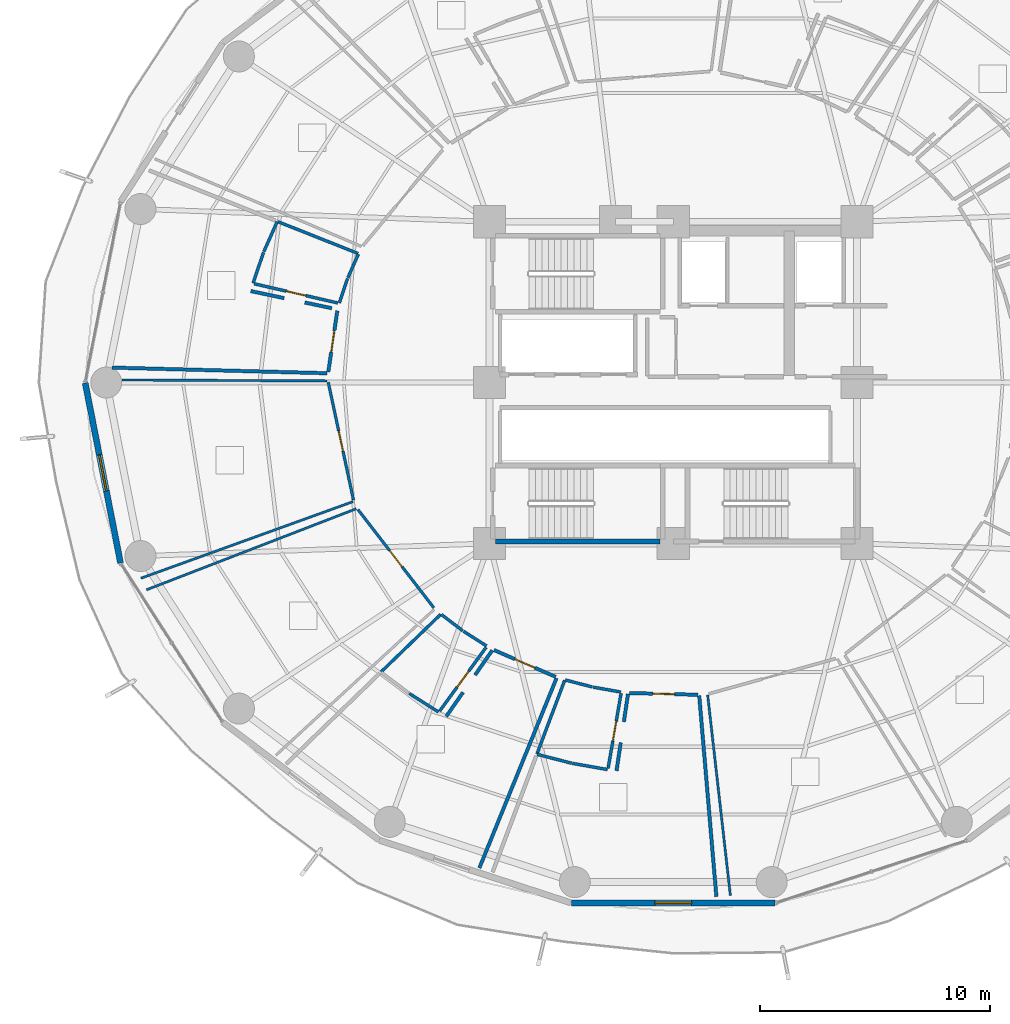
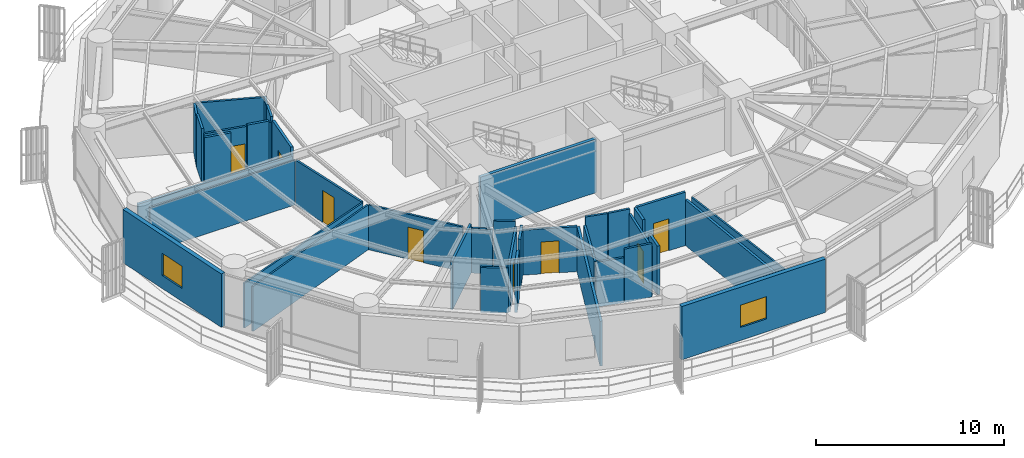
# One storey, part 25 of 33: 38 walls, 8 doors, 2 windows, 10 openings.
"""IFC4 building model written with IfcOpenShell, lengths in metres."""

from ifc_helpers import new_model, si_unit, direction, frame, frame_2d, origin, place, context, subcontext, project, spatial, rectangle, extrude, material, layer, layer_set, type_object, element, fill, save


model = new_model("IFC4")

# Units and contexts
model_context = context("Model", 3, precision=1e-05, world=origin(), true_north=direction((0.0, 1.0)))
body_context = subcontext(model_context, "Body", "Model", "MODEL_VIEW")
ifc_project = project(units=[si_unit("LENGTHUNIT", "METRE"), si_unit("AREAUNIT", "SQUARE_METRE"), si_unit("VOLUMEUNIT", "CUBIC_METRE"), si_unit("PLANEANGLEUNIT", "RADIAN"), si_unit("MASSUNIT", "GRAM", prefix="KILO")], contexts=[model_context])

# Site, building, storey
site_placement = place(None, origin())
site = spatial("IfcSite", under=ifc_project, at=site_placement, CompositionType="ELEMENT")
building_placement = place(site_placement, origin())
building = spatial("IfcBuilding", under=site, at=building_placement, Name="Kelanora Arch Commons", CompositionType="ELEMENT")
storey_placement = place(building_placement, frame((0.0, 0.0, 80.10009765625)))
storey = spatial("IfcBuildingStorey", under=building, at=storey_placement, Name="L20", CompositionType="ELEMENT", Elevation=80.10009765625)

# Wall, opening, door
ifc_material_1 = material(Name="Autoclaved aerated concrete blockwork with fire plaster", Category="masonry")
ifc_layer_1 = layer(ifc_material_1, 0.14990234375)
ifc_layer_set_1 = layer_set([ifc_layer_1], Name="Autoclaved aerated concrete blockwork with fire plaster")
wall_type_1 = type_object("IfcWallType", Name="W-COMP-150", PredefinedType="PARTITIONING", material=ifc_layer_set_1)
wall_1_placement = place(storey_placement, frame((59.377197265625, 61.12353515625, 0.0), z_axis=(0.0, 0.0, 1.0), x_axis=(-0.145640373191, -0.989337597434, 0.0)))
wall_1 = element("IfcWall", 1, at=wall_1_placement, inside=storey, type_object=wall_type_1, Name="Co-Living Studio L20-07 Entry Partition", PredefinedType="PARTITIONING", context=body_context, shape_type="SweptSolid", body=[
    extrude(rectangle(XDim=2.688720703125, YDim=0.14990234375, at=frame_2d((1.34423828125, 0.0))), origin(), (0.0, 0.0, 1.0), 3.47998046875),
])
opening_1_placement = place(wall_1_placement, frame((0.868896484375, 0.0, 0.0)))
opening_1 = element("IfcOpeningElement", 2, at=opening_1_placement, cuts=wall_1, Name="Opening D-CLU1", PredefinedType="OPENING", context=body_context, shape_type="SweptSolid", body=[
    extrude(rectangle(XDim=0.949951171875, YDim=2.080078125, at=frame_2d((0.47509765625, 1.0400390625))), frame((0.0, 0.0849609375, 0.0), z_axis=(0.0, -1.0, 0.0), x_axis=(1.0, 0.0, 0.0)), (0.0, 0.0, 1.0), 0.169921875),
])
ifc_material_2 = material(Name="Solid-core acoustic timber cluster entry fire door", Category="wood")
door_type_1 = type_object("IfcDoorType", Name="D-CLU-95", OperationType="NOTDEFINED", PredefinedType="DOOR", material=ifc_material_2)
door_1_placement = place(opening_1_placement, origin())
door_1 = element("IfcDoor", 3, at=door_1_placement, inside=storey, type_object=door_type_1, Name="Co-Living Studio L20-07 Door", OperationType="SINGLE_SWING_RIGHT", OverallHeight=2.080078125, OverallWidth=0.949951171875, PredefinedType="DOOR", context=body_context, shape_type="SweptSolid", body=[
    extrude(rectangle(XDim=0.949951171875, YDim=2.080078125, at=frame_2d((0.47509765625, 1.0400390625))), frame((0.0, 0.02490234375, 0.0), z_axis=(0.0, -1.0, 0.0), x_axis=(1.0, 0.0, 0.0)), (0.0, 0.0, 1.0), 0.050048828125),
])
fill(opening_1, door_1)

wall_2_placement = place(storey_placement, frame((66.200927734375, 46.35498046875, 0.0), z_axis=(0.0, 0.0, 1.0), x_axis=(0.917173751057, -0.398487528503, 0.0)))
wall_2 = element("IfcWall", 4, at=wall_2_placement, inside=storey, type_object=wall_type_1, Name="Co-Living Studio L20-10 Entry Partition", PredefinedType="PARTITIONING", context=body_context, shape_type="SweptSolid", body=[
    extrude(rectangle(XDim=2.918701171875, YDim=0.14990234375, at=frame_2d((1.45947265625, 0.0))), origin(), (0.0, 0.0, 1.0), 2.9248046875),
])
opening_2_placement = place(wall_2_placement, frame((0.98388671875, 0.0, 0.0)))
opening_2 = element("IfcOpeningElement", 5, at=opening_2_placement, cuts=wall_2, Name="Opening D-CLU1", PredefinedType="OPENING", context=body_context, shape_type="SweptSolid", body=[
    extrude(rectangle(XDim=0.949951171875, YDim=2.080078125, at=frame_2d((0.47509765625, 1.0400390625))), frame((0.0, 0.0849609375, 0.0), z_axis=(0.0, -1.0, 0.0), x_axis=(1.0, 0.0, 0.0)), (0.0, 0.0, 1.0), 0.169921875),
])
door_2_placement = place(opening_2_placement, origin())
door_2 = element("IfcDoor", 6, at=door_2_placement, inside=storey, type_object=door_type_1, Name="Co-Living Studio L20-10 Door", OperationType="SINGLE_SWING_RIGHT", OverallHeight=2.080078125, OverallWidth=0.949951171875, PredefinedType="DOOR", context=body_context, shape_type="SweptSolid", body=[
    extrude(rectangle(XDim=0.949951171875, YDim=2.080078125, at=frame_2d((0.47509765625, 1.0400390625))), frame((0.0, 0.02490234375, 0.0), z_axis=(0.0, -1.0, 0.0), x_axis=(1.0, 0.0, 0.0)), (0.0, 0.0, 1.0), 0.050048828125),
])
fill(opening_2, door_2)

wall_3_placement = place(storey_placement, frame((72.096923828125, 44.485595703125, 0.0), z_axis=(0.0, 0.0, 1.0), x_axis=(0.999671268913, -0.025638917871, 0.0)))
wall_3 = element("IfcWall", 7, at=wall_3_placement, inside=storey, type_object=wall_type_1, Name="Co-Living Studio L20-11 Entry Partition", PredefinedType="PARTITIONING", context=body_context, shape_type="SweptSolid", body=[
    extrude(rectangle(XDim=2.970947265625, YDim=0.14990234375, at=frame_2d((1.4853515625, 0.0))), origin(), (0.0, 0.0, 1.0), 3.47998046875),
])
opening_3_placement = place(wall_3_placement, frame((1.010009765625, 0.0, 0.0)))
opening_3 = element("IfcOpeningElement", 8, at=opening_3_placement, cuts=wall_3, Name="Opening D-CLU1", PredefinedType="OPENING", context=body_context, shape_type="SweptSolid", body=[
    extrude(rectangle(XDim=0.949951171875, YDim=2.080078125, at=frame_2d((0.47509765625, 1.0400390625))), frame((0.0, 0.0849609375, 0.0), z_axis=(0.0, -1.0, 0.0), x_axis=(1.0, 0.0, 0.0)), (0.0, 0.0, 1.0), 0.169921875),
])
door_3_placement = place(opening_3_placement, origin())
door_3 = element("IfcDoor", 9, at=door_3_placement, inside=storey, type_object=door_type_1, Name="Co-Living Studio L20-11 Door", OperationType="SINGLE_SWING_RIGHT", OverallHeight=2.080078125, OverallWidth=0.949951171875, PredefinedType="DOOR", context=body_context, shape_type="SweptSolid", body=[
    extrude(rectangle(XDim=0.949951171875, YDim=2.080078125, at=frame_2d((0.47509765625, 1.0400390625))), frame((0.0, 0.02490234375, 0.0), z_axis=(0.0, -1.0, 0.0), x_axis=(1.0, 0.0, 0.0)), (0.0, 0.0, 1.0), 0.050048828125),
])
fill(opening_3, door_3)

# Walls
wall_4_placement = place(storey_placement, frame((58.93701171875, 58.405029296875, 0.0), z_axis=(0.0, 0.0, 1.0), x_axis=(-0.99965775334, 0.026160584617, 0.0)))
element("IfcWall", 10, at=wall_4_placement, inside=storey, type_object=wall_type_1, Name="Co-Living Studio L20-07 Enclosure Partition 2", PredefinedType="PARTITIONING", context=body_context, shape_type="SweptSolid", body=[
    extrude(rectangle(XDim=9.3603515625, YDim=0.14990234375, at=frame_2d((4.68017578125, 0.0))), origin(), (0.0, 0.0, 1.0), 2.974853515625),
])
wall_5_placement = place(storey_placement, frame((55.613037109375, 61.980712890625, 0.0), z_axis=(0.0, 0.0, 1.0), x_axis=(0.978379851426, -0.206816020472, 0.0)))
element("IfcWall", 11, at=wall_5_placement, inside=storey, type_object=wall_type_1, Name="Co-Living Studio L20-07 Enclosure Partition 7", PredefinedType="PARTITIONING", context=body_context, shape_type="SweptSolid", body=[
    extrude(rectangle(XDim=1.4814453125, YDim=0.14990234375, at=frame_2d((0.74072265625, 0.0))), origin(), (0.0, 0.0, 1.0), 3.1748046875),
])
wall_6_placement = place(storey_placement, frame((57.962890625, 61.48388671875, 0.0), z_axis=(0.0, 0.0, 1.0), x_axis=(0.978361584069, -0.20690241859, 0.0)))
element("IfcWall", 12, at=wall_6_placement, inside=storey, type_object=wall_type_1, Name="Co-Living Studio L20-07 Enclosure Partition 7", PredefinedType="PARTITIONING", context=body_context, shape_type="SweptSolid", body=[
    extrude(rectangle(XDim=1.199951171875, YDim=0.14990234375, at=frame_2d((0.60009765625, 0.0))), origin(), (0.0, 0.0, 1.0), 3.47998046875),
])
wall_7_placement = place(storey_placement, frame((68.91796875, 45.130859375, 0.0), z_axis=(0.0, 0.0, 1.0), x_axis=(-0.376588613193, -0.926380600193, 0.0)))
element("IfcWall", 13, at=wall_7_placement, inside=storey, type_object=wall_type_1, Name="Co-Living Studio L20-10 Enclosure Partition 2", PredefinedType="PARTITIONING", context=body_context, shape_type="SweptSolid", body=[
    extrude(rectangle(XDim=8.9140625, YDim=0.14990234375, at=frame_2d((4.45703125, 0.0))), origin(), (0.0, 0.0, 1.0), 2.9248046875),
])
wall_8_placement = place(storey_placement, frame((64.119873046875, 43.46875, 0.0), z_axis=(0.0, 0.0, 1.0), x_axis=(0.571339432424, 0.820713867897, 0.0)))
element("IfcWall", 14, at=wall_8_placement, inside=storey, type_object=wall_type_1, Name="Co-Living Studio L20-10 Enclosure Partition 7", PredefinedType="PARTITIONING", context=body_context, shape_type="SweptSolid", body=[
    extrude(rectangle(XDim=1.274658203125, YDim=0.14990234375, at=frame_2d((0.63720703125, 0.0))), origin(), (0.0, 0.0, 1.0), 3.1748046875),
])
wall_9_placement = place(storey_placement, frame((65.3740234375, 45.270263671875, 0.0), z_axis=(0.0, 0.0, 1.0), x_axis=(0.57134818524, 0.82070777456, 0.0)))
element("IfcWall", 15, at=wall_9_placement, inside=storey, type_object=wall_type_1, Name="Co-Living Studio L20-10 Enclosure Partition 7", PredefinedType="PARTITIONING", context=body_context, shape_type="SweptSolid", body=[
    extrude(rectangle(XDim=1.31103515625, YDim=0.14990234375, at=frame_2d((0.655517578125, 0.0))), origin(), (0.0, 0.0, 1.0), 3.23486328125),
])
wall_10_placement = place(storey_placement, frame((75.13037109375, 44.3681640625, 0.0), z_axis=(0.0, 0.0, 1.0), x_axis=(0.085031915446, -0.996378228062, 0.0)))
element("IfcWall", 16, at=wall_10_placement, inside=storey, type_object=wall_type_1, Name="Co-Living Studio L20-11 Enclosure Partition 2", PredefinedType="PARTITIONING", context=body_context, shape_type="SweptSolid", body=[
    extrude(rectangle(XDim=8.777099609375, YDim=0.14990234375, at=frame_2d((4.388671875, 0.0))), origin(), (0.0, 0.0, 1.0), 2.974853515625),
])
wall_11_placement = place(storey_placement, frame((71.531005859375, 41.103515625, 0.0), z_axis=(0.0, 0.0, 1.0), x_axis=(0.147866770411, 0.989007289259, 0.0)))
element("IfcWall", 17, at=wall_11_placement, inside=storey, type_object=wall_type_1, Name="Co-Living Studio L20-11 Enclosure Partition 7", PredefinedType="PARTITIONING", context=body_context, shape_type="SweptSolid", body=[
    extrude(rectangle(XDim=1.235107421875, YDim=0.14990234375, at=frame_2d((0.61767578125, 0.0))), origin(), (0.0, 0.0, 1.0), 3.1748046875),
])
wall_12_placement = place(storey_placement, frame((71.849609375, 43.235107421875, 0.0), z_axis=(0.0, 0.0, 1.0), x_axis=(0.14797037904, 0.988991793154, 0.0)))
element("IfcWall", 18, at=wall_12_placement, inside=storey, type_object=wall_type_1, Name="Co-Living Studio L20-11 Enclosure Partition 7", PredefinedType="PARTITIONING", context=body_context, shape_type="SweptSolid", body=[
    extrude(rectangle(XDim=1.225830078125, YDim=0.14990234375, at=frame_2d((0.61279296875, 0.0))), origin(), (0.0, 0.0, 1.0), 3.47998046875),
])

# Wall, opening, window
ifc_material_3 = material(Name="Precast concrete C40/50 with terracotta rainscreen", Category="masonry")
ifc_layer_2 = layer(ifc_material_3, 0.260009765625)
ifc_layer_set_2 = layer_set([ifc_layer_2], Name="Precast concrete C40/50 with terracotta rainscreen")
wall_type_2 = type_object("IfcWallType", Name="W-EXT-TC", PredefinedType="SOLIDWALL", material=ifc_layer_set_2)
wall_13_placement = place(storey_placement, frame((48.40283203125, 57.9853515625, 0.0), z_axis=(0.0, 0.0, 1.0), x_axis=(0.192581843632, -0.981280914674, 0.0)))
wall_13 = element("IfcWall", 19, at=wall_13_placement, inside=storey, type_object=wall_type_2, Name="Terracotta Exterior Wall L20-B09", PredefinedType="SOLIDWALL", context=body_context, shape_type="SweptSolid", body=[
    extrude(rectangle(XDim=7.986572265625, YDim=0.260009765625, at=frame_2d((3.9931640625, 0.0))), origin(), (0.0, 0.0, 1.0), 3.474853515625),
])
opening_4_placement = place(wall_13_placement, frame((3.193115234375, 0.0, 0.85009765625)))
opening_4 = element("IfcOpeningElement", 20, at=opening_4_placement, cuts=wall_13, Name="Opening WN-01", PredefinedType="OPENING", context=body_context, shape_type="SweptSolid", body=[
    extrude(rectangle(XDim=1.60009765625, YDim=1.449951171875, at=frame_2d((0.800048828125, 0.72509765625))), frame((0.0, 0.14013671875, 0.0), z_axis=(0.0, -1.0, 0.0), x_axis=(1.0, 0.0, 0.0)), (0.0, 0.0, 1.0), 0.280029296875),
])
ifc_material_4 = material(Name="Terracotta-anodised aluminium frame with operable low-E glazing", Category="masonry")
window_type = type_object("IfcWindowType", Name="WIN-CL-18", PartitioningType="DOUBLE_PANEL_VERTICAL", PredefinedType="WINDOW", material=ifc_material_4)
window_1_placement = place(opening_4_placement, origin())
window_1 = element("IfcWindow", 21, at=window_1_placement, inside=storey, type_object=window_type, Name="Co-Living Operable Window L20-B09", OverallHeight=1.449951171875, OverallWidth=1.60009765625, PartitioningType="SINGLE_PANEL", PredefinedType="WINDOW", context=body_context, shape_type="SweptSolid", body=[
    extrude(rectangle(XDim=1.60009765625, YDim=1.449951171875, at=frame_2d((0.800048828125, 0.72509765625))), frame((0.0, 0.030029296875, 0.0), z_axis=(0.0, -1.0, 0.0), x_axis=(1.0, 0.0, 0.0)), (0.0, 0.0, 1.0), 0.06005859375),
])
fill(opening_4, window_1)

wall_14_placement = place(storey_placement, frame((69.569580078125, 35.349365234375, 0.0), z_axis=(0.0, 0.0, 1.0), x_axis=(1.0, 0.0, 0.0)))
wall_14 = element("IfcWall", 22, at=wall_14_placement, inside=storey, type_object=wall_type_2, Name="Terracotta Exterior Wall L20-B13", PredefinedType="SOLIDWALL", context=body_context, shape_type="SweptSolid", body=[
    extrude(rectangle(XDim=8.86083984375, YDim=0.260009765625, at=frame_2d((4.430419921875, 0.0))), origin(), (0.0, 0.0, 1.0), 3.474853515625),
])
opening_5_placement = place(wall_14_placement, frame((3.6298828125, 0.0, 0.85009765625)))
opening_5 = element("IfcOpeningElement", 23, at=opening_5_placement, cuts=wall_14, Name="Opening WN-01", PredefinedType="OPENING", context=body_context, shape_type="SweptSolid", body=[
    extrude(rectangle(XDim=1.60009765625, YDim=1.449951171875, at=frame_2d((0.800048828125, 0.72509765625))), frame((0.0, 0.14013671875, 0.0), z_axis=(0.0, -1.0, 0.0), x_axis=(1.0, 0.0, 0.0)), (0.0, 0.0, 1.0), 0.280029296875),
])
window_2_placement = place(opening_5_placement, origin())
window_2 = element("IfcWindow", 24, at=window_2_placement, inside=storey, type_object=window_type, Name="Co-Living Operable Window L20-B13", OverallHeight=1.449951171875, OverallWidth=1.60009765625, PartitioningType="SINGLE_PANEL", PredefinedType="WINDOW", context=body_context, shape_type="SweptSolid", body=[
    extrude(rectangle(XDim=1.60009765625, YDim=1.449951171875, at=frame_2d((0.800048828125, 0.72509765625))), frame((0.0, 0.030029296875, 0.0), z_axis=(0.0, -1.0, 0.0), x_axis=(1.0, 0.0, 0.0)), (0.0, 0.0, 1.0), 0.06005859375),
])
fill(opening_5, window_2)

# Walls
ifc_material_5 = material(Name="Lightweight fire-rated acoustic stud partition")
ifc_layer_3 = layer(ifc_material_5, 0.10009765625)
ifc_layer_set_3 = layer_set([ifc_layer_3], Name="Lightweight fire-rated acoustic stud partition")
wall_type_3 = type_object("IfcWallType", Name="W-PART-100", PredefinedType="PARTITIONING", material=ifc_layer_set_3)
wall_15_placement = place(storey_placement, frame((60.056396484375, 52.814453125, 0.0), z_axis=(0.0, 0.0, 1.0), x_axis=(-0.940543515483, -0.339673218671, 0.0)))
element("IfcWall", 25, at=wall_15_placement, inside=storey, type_object=wall_type_3, Name="Quiet Seminar Study Room L20-08 Enclosure Partition 2", PredefinedType="PARTITIONING", context=body_context, shape_type="SweptSolid", body=[
    extrude(rectangle(XDim=9.805908203125, YDim=0.10009765625, at=frame_2d((4.90283203125, 0.0))), origin(), (0.0, 0.0, 1.0), 2.9248046875),
])
wall_16_placement = place(storey_placement, frame((50.0107421875, 58.11279296875, 0.0), z_axis=(0.0, 0.0, 1.0), x_axis=(0.999989173449, -0.004653276749, 0.0)))
element("IfcWall", 26, at=wall_16_placement, inside=storey, type_object=wall_type_3, Name="Quiet Seminar Study Room L20-08 Enclosure Partition 4", PredefinedType="PARTITIONING", context=body_context, shape_type="SweptSolid", body=[
    extrude(rectangle(XDim=8.919189453125, YDim=0.10009765625, at=frame_2d((4.45947265625, 0.0))), origin(), (0.0, 0.0, 1.0), 2.9248046875),
])
wall_17_placement = place(storey_placement, frame((51.072265625, 48.978515625, 0.0), z_axis=(0.0, 0.0, 1.0), x_axis=(0.932757339165, 0.360504849112, 0.0)))
element("IfcWall", 27, at=wall_17_placement, inside=storey, type_object=wall_type_3, Name="Communal Dining and Social Hall L20-09 Enclosure Partition 4", PredefinedType="PARTITIONING", context=body_context, shape_type="SweptSolid", body=[
    extrude(rectangle(XDim=9.786376953125, YDim=0.10009765625, at=frame_2d((4.89306640625, 0.0))), origin(), (0.0, 0.0, 1.0), 2.9248046875),
])
wall_18_placement = place(storey_placement, frame((76.486572265625, 35.670654296875, 0.0), z_axis=(0.0, 0.0, 1.0), x_axis=(-0.112612784854, 0.993638948858, 0.0)))
element("IfcWall", 28, at=wall_18_placement, inside=storey, type_object=wall_type_3, Name="Quiet Seminar Study Room L20-12 Enclosure Partition 4", PredefinedType="PARTITIONING", context=body_context, shape_type="SweptSolid", body=[
    extrude(rectangle(XDim=8.782470703125, YDim=0.10009765625, at=frame_2d((4.39111328125, 0.0))), origin(), (0.0, 0.0, 1.0), 2.974853515625),
])

# Wall, opening, door
ifc_material_6 = material(Name="Acoustic twin-stud fire-rated gypsum partition")
ifc_layer_4 = layer(ifc_material_6, 0.1201171875)
ifc_layer_set_4 = layer_set([ifc_layer_4], Name="Acoustic twin-stud fire-rated gypsum partition")
wall_type_4 = type_object("IfcWallType", Name="W-PART-120", PredefinedType="PARTITIONING", material=ifc_layer_set_4)
wall_19_placement = place(storey_placement, frame((58.982666015625, 58.01220703125, 0.0), z_axis=(0.0, 0.0, 1.0), x_axis=(0.209586341226, -0.977790143933, 0.0)))
wall_19 = element("IfcWall", 29, at=wall_19_placement, inside=storey, type_object=wall_type_4, Name="Quiet Seminar Study Room L20-08 Entry Partition", PredefinedType="PARTITIONING", context=body_context, shape_type="SweptSolid", body=[
    extrude(rectangle(XDim=5.241943359375, YDim=0.1201171875, at=frame_2d((2.62109375, 0.0))), origin(), (0.0, 0.0, 1.0), 2.9248046875),
])
opening_6_placement = place(wall_19_placement, frame((2.1708984375, 0.0, 0.0)))
opening_6 = element("IfcOpeningElement", 30, at=opening_6_placement, cuts=wall_19, Name="Opening D-RM1", PredefinedType="OPENING", context=body_context, shape_type="SweptSolid", body=[
    extrude(rectangle(XDim=0.89990234375, YDim=2.080078125, at=frame_2d((0.449951171875, 1.0400390625))), frame((0.0, 0.070068359375, 0.0), z_axis=(0.0, -1.0, 0.0), x_axis=(1.0, 0.0, 0.0)), (0.0, 0.0, 1.0), 0.14013671875),
])
ifc_material_7 = material(Name="Acoustic fire-rated timber study and lounge door", Category="wood")
door_type_2 = type_object("IfcDoorType", Name="D-ROOM-90", OperationType="NOTDEFINED", PredefinedType="DOOR", material=ifc_material_7)
door_4_placement = place(opening_6_placement, origin())
door_4 = element("IfcDoor", 31, at=door_4_placement, inside=storey, type_object=door_type_2, Name="Quiet Seminar Study Room L20-08 Door", OperationType="SINGLE_SWING_LEFT", OverallHeight=2.080078125, OverallWidth=0.89990234375, PredefinedType="DOOR", context=body_context, shape_type="SweptSolid", body=[
    extrude(rectangle(XDim=0.89990234375, YDim=2.080078125, at=frame_2d((0.449951171875, 1.0400390625))), frame((0.0, 0.02490234375, 0.0), z_axis=(0.0, -1.0, 0.0), x_axis=(1.0, 0.0, 0.0)), (0.0, 0.0, 1.0), 0.050048828125),
])
fill(opening_6, door_4)

wall_20_placement = place(storey_placement, frame((60.274658203125, 52.473388671875, 0.0), z_axis=(0.0, 0.0, 1.0), x_axis=(0.611167326409, -0.791501420801, 0.0)))
wall_20 = element("IfcWall", 32, at=wall_20_placement, inside=storey, type_object=wall_type_4, Name="Communal Dining and Social Hall L20-09 Entry Partition", PredefinedType="PARTITIONING", context=body_context, shape_type="SweptSolid", body=[
    extrude(rectangle(XDim=5.4072265625, YDim=0.1201171875, at=frame_2d((2.70361328125, 0.0))), origin(), (0.0, 0.0, 1.0), 2.9248046875),
])
opening_7_placement = place(wall_20_placement, frame((2.25390625, 0.0, 0.0)))
opening_7 = element("IfcOpeningElement", 33, at=opening_7_placement, cuts=wall_20, Name="Opening D-RM1", PredefinedType="OPENING", context=body_context, shape_type="SweptSolid", body=[
    extrude(rectangle(XDim=0.89990234375, YDim=2.080078125, at=frame_2d((0.449951171875, 1.0400390625))), frame((0.0, 0.070068359375, 0.0), z_axis=(0.0, -1.0, 0.0), x_axis=(1.0, 0.0, 0.0)), (0.0, 0.0, 1.0), 0.14013671875),
])
door_5_placement = place(opening_7_placement, origin())
door_5 = element("IfcDoor", 34, at=door_5_placement, inside=storey, type_object=door_type_2, Name="Communal Dining and Social Hall L20-09 Door", OperationType="SINGLE_SWING_RIGHT", OverallHeight=2.080078125, OverallWidth=0.89990234375, PredefinedType="DOOR", context=body_context, shape_type="SweptSolid", body=[
    extrude(rectangle(XDim=0.89990234375, YDim=2.080078125, at=frame_2d((0.449951171875, 1.0400390625))), frame((0.0, 0.02490234375, 0.0), z_axis=(0.0, -1.0, 0.0), x_axis=(1.0, 0.0, 0.0)), (0.0, 0.0, 1.0), 0.050048828125),
])
fill(opening_7, door_5)

# Wall
ifc_material_8 = material(Name="Concrete C40/50", Category="concrete")
ifc_layer_5 = layer(ifc_material_8, 0.199951171875)
ifc_layer_set_5 = layer_set([ifc_layer_5], Name="Concrete C40/50")
wall_type_5 = type_object("IfcWallType", Name="W-STAIR-200", PredefinedType="SHEAR", material=ifc_layer_set_5)
wall_21_placement = place(storey_placement, frame((66.260009765625, 51.080078125, 0.0), z_axis=(0.0, 0.0, 1.0), x_axis=(1.0, 0.0, 0.0)))
element("IfcWall", 35, at=wall_21_placement, inside=storey, type_object=wall_type_5, Name="Stair ST-T3 Shaft Wall S L20", PredefinedType="SHEAR", context=body_context, shape_type="SweptSolid", body=[
    extrude(rectangle(XDim=7.159912109375, YDim=0.199951171875, at=frame_2d((3.580078125, 0.0))), origin(), (0.0, 0.0, 1.0), 3.489990234375),
])

# Wall, opening, door
ifc_material_9 = material(Name="Moisture-resistant fire-rated cement-board plumbing wall")
ifc_layer_6 = layer(ifc_material_9, 0.1298828125)
ifc_layer_set_6 = layer_set([ifc_layer_6], Name="Moisture-resistant fire-rated cement-board plumbing wall")
wall_type_6 = type_object("IfcWallType", Name="W-WET-120", PredefinedType="PLUMBINGWALL", material=ifc_layer_set_6)
wall_22_placement = place(storey_placement, frame((59.400390625, 61.46240234375, 0.0), z_axis=(0.0, 0.0, 1.0), x_axis=(-0.974573904169, 0.224066296689, 0.0)))
wall_22 = element("IfcWall", 36, at=wall_22_placement, inside=storey, type_object=wall_type_6, Name="En-Suite Shower WC L20-07 Entry Partition", PredefinedType="PLUMBINGWALL", context=body_context, shape_type="SweptSolid", body=[
    extrude(rectangle(XDim=3.73193359375, YDim=0.1298828125, at=frame_2d((1.865966796875, 0.0))), origin(), (0.0, 0.0, 1.0), 3.1748046875),
])
opening_8_placement = place(wall_22_placement, frame((1.43603515625, 0.0, 0.0)))
opening_8 = element("IfcOpeningElement", 37, at=opening_8_placement, cuts=wall_22, Name="Opening D-BT1", PredefinedType="OPENING", context=body_context, shape_type="SweptSolid", body=[
    extrude(rectangle(XDim=0.860107421875, YDim=2.050048828125, at=frame_2d((0.43017578125, 1.02490234375))), frame((0.0, 0.074951171875, 0.0), z_axis=(0.0, -1.0, 0.0), x_axis=(1.0, 0.0, 0.0)), (0.0, 0.0, 1.0), 0.14990234375),
])
ifc_material_10 = material(Name="Moisture-sealed fire-rated accessible bathroom door")
door_type_3 = type_object("IfcDoorType", Name="D-BATH-85", OperationType="NOTDEFINED", PredefinedType="DOOR", material=ifc_material_10)
door_6_placement = place(opening_8_placement, origin())
door_6 = element("IfcDoor", 38, at=door_6_placement, inside=storey, type_object=door_type_3, Name="En-Suite Shower WC L20-07 Door", OperationType="SINGLE_SWING_LEFT", OverallHeight=2.050048828125, OverallWidth=0.860107421875, PredefinedType="DOOR", context=body_context, shape_type="SweptSolid", body=[
    extrude(rectangle(XDim=0.860107421875, YDim=2.050048828125, at=frame_2d((0.43017578125, 1.02490234375))), frame((0.0, 0.02490234375, 0.0), z_axis=(0.0, -1.0, 0.0), x_axis=(1.0, 0.0, 0.0)), (0.0, 0.0, 1.0), 0.050048828125),
])
fill(opening_8, door_6)

wall_23_placement = place(storey_placement, frame((65.854736328125, 46.4765625, 0.0), z_axis=(0.0, 0.0, 1.0), x_axis=(-0.589016516568, -0.808120995402, 0.0)))
wall_23 = element("IfcWall", 39, at=wall_23_placement, inside=storey, type_object=wall_type_6, Name="En-Suite Shower WC L20-10 Entry Partition", PredefinedType="PLUMBINGWALL", context=body_context, shape_type="SweptSolid", body=[
    extrude(rectangle(XDim=3.435302734375, YDim=0.1298828125, at=frame_2d((1.7177734375, 0.0))), origin(), (0.0, 0.0, 1.0), 3.1748046875),
])
opening_9_placement = place(wall_23_placement, frame((1.2880859375, 0.0, 0.0)))
opening_9 = element("IfcOpeningElement", 40, at=opening_9_placement, cuts=wall_23, Name="Opening D-BT1", PredefinedType="OPENING", context=body_context, shape_type="SweptSolid", body=[
    extrude(rectangle(XDim=0.860107421875, YDim=2.050048828125, at=frame_2d((0.43017578125, 1.02490234375))), frame((0.0, 0.074951171875, 0.0), z_axis=(0.0, -1.0, 0.0), x_axis=(1.0, 0.0, 0.0)), (0.0, 0.0, 1.0), 0.14990234375),
])
door_7_placement = place(opening_9_placement, origin())
door_7 = element("IfcDoor", 41, at=door_7_placement, inside=storey, type_object=door_type_3, Name="En-Suite Shower WC L20-10 Door", OperationType="SINGLE_SWING_LEFT", OverallHeight=2.050048828125, OverallWidth=0.860107421875, PredefinedType="DOOR", context=body_context, shape_type="SweptSolid", body=[
    extrude(rectangle(XDim=0.860107421875, YDim=2.050048828125, at=frame_2d((0.43017578125, 1.02490234375))), frame((0.0, 0.02490234375, 0.0), z_axis=(0.0, -1.0, 0.0), x_axis=(1.0, 0.0, 0.0)), (0.0, 0.0, 1.0), 0.050048828125),
])
fill(opening_9, door_7)

wall_24_placement = place(storey_placement, frame((71.727783203125, 44.4658203125, 0.0), z_axis=(0.0, 0.0, 1.0), x_axis=(-0.170592496202, -0.985341666753, 0.0)))
wall_24 = element("IfcWall", 42, at=wall_24_placement, inside=storey, type_object=wall_type_6, Name="En-Suite Shower WC L20-11 Entry Partition", PredefinedType="PLUMBINGWALL", context=body_context, shape_type="SweptSolid", body=[
    extrude(rectangle(XDim=3.302978515625, YDim=0.1298828125, at=frame_2d((1.6513671875, 0.0))), origin(), (0.0, 0.0, 1.0), 3.1748046875),
])
opening_10_placement = place(wall_24_placement, frame((1.221923828125, 0.0, 0.0)))
opening_10 = element("IfcOpeningElement", 43, at=opening_10_placement, cuts=wall_24, Name="Opening D-BT1", PredefinedType="OPENING", context=body_context, shape_type="SweptSolid", body=[
    extrude(rectangle(XDim=0.860107421875, YDim=2.050048828125, at=frame_2d((0.43017578125, 1.02490234375))), frame((0.0, 0.074951171875, 0.0), z_axis=(0.0, -1.0, 0.0), x_axis=(1.0, 0.0, 0.0)), (0.0, 0.0, 1.0), 0.14990234375),
])
door_8_placement = place(opening_10_placement, origin())
door_8 = element("IfcDoor", 44, at=door_8_placement, inside=storey, type_object=door_type_3, Name="En-Suite Shower WC L20-11 Door", OperationType="SINGLE_SWING_LEFT", OverallHeight=2.050048828125, OverallWidth=0.860107421875, PredefinedType="DOOR", context=body_context, shape_type="SweptSolid", body=[
    extrude(rectangle(XDim=0.860107421875, YDim=2.050048828125, at=frame_2d((0.43017578125, 1.02490234375))), frame((0.0, 0.02490234375, 0.0), z_axis=(0.0, -1.0, 0.0), x_axis=(1.0, 0.0, 0.0)), (0.0, 0.0, 1.0), 0.050048828125),
])
fill(opening_10, door_8)

# Walls
wall_25_placement = place(storey_placement, frame((60.2939453125, 63.5908203125, 0.0), z_axis=(0.0, 0.0, 1.0), x_axis=(-0.40547338745, -0.914106849372, 0.0)))
element("IfcWall", 45, at=wall_25_placement, inside=storey, type_object=wall_type_6, Name="En-Suite Shower WC L20-07 Enclosure Partition 1", PredefinedType="PLUMBINGWALL", context=body_context, shape_type="SweptSolid", body=[
    extrude(rectangle(XDim=1.1240234375, YDim=0.1298828125, at=frame_2d((0.56201171875, 0.0))), origin(), (0.0, 0.0, 1.0), 3.23486328125),
])
wall_26_placement = place(storey_placement, frame((59.823486328125, 62.526123046875, 0.0), z_axis=(0.0, 0.0, 1.0), x_axis=(-0.320617291593, -0.947208821925, 0.0)))
element("IfcWall", 46, at=wall_26_placement, inside=storey, type_object=wall_type_6, Name="En-Suite Shower WC L20-07 Enclosure Partition 2", PredefinedType="PLUMBINGWALL", context=body_context, shape_type="SweptSolid", body=[
    extrude(rectangle(XDim=1.1171875, YDim=0.1298828125, at=frame_2d((0.55859375, 0.0))), origin(), (0.0, 0.0, 1.0), 3.47998046875),
])
wall_27_placement = place(storey_placement, frame((55.71142578125, 62.330810546875, 0.0), z_axis=(0.0, 0.0, 1.0), x_axis=(0.322409215332, 0.946600389747, 0.0)))
element("IfcWall", 47, at=wall_27_placement, inside=storey, type_object=wall_type_6, Name="En-Suite Shower WC L20-07 Enclosure Partition 4", PredefinedType="PLUMBINGWALL", context=body_context, shape_type="SweptSolid", body=[
    extrude(rectangle(XDim=1.408447265625, YDim=0.1298828125, at=frame_2d((0.7041015625, 0.0))), origin(), (0.0, 0.0, 1.0), 3.47998046875),
])
wall_28_placement = place(storey_placement, frame((56.18017578125, 63.701416015625, 0.0), z_axis=(0.0, 0.0, 1.0), x_axis=(0.407258007738, 0.913313152831, 0.0)))
element("IfcWall", 48, at=wall_28_placement, inside=storey, type_object=wall_type_6, Name="En-Suite Shower WC L20-07 Enclosure Partition 5", PredefinedType="PLUMBINGWALL", context=body_context, shape_type="SweptSolid", body=[
    extrude(rectangle(XDim=1.416015625, YDim=0.1298828125, at=frame_2d((0.7080078125, 0.0))), origin(), (0.0, 0.0, 1.0), 3.1748046875),
])
wall_29_placement = place(storey_placement, frame((56.78369140625, 65.005615234375, 0.0), z_axis=(0.0, 0.0, 1.0), x_axis=(0.929457187308, -0.368929989242, 0.0)))
element("IfcWall", 49, at=wall_29_placement, inside=storey, type_object=wall_type_6, Name="En-Suite Shower WC L20-07 Enclosure Partition 6", PredefinedType="PLUMBINGWALL", context=body_context, shape_type="SweptSolid", body=[
    extrude(rectangle(XDim=3.765380859375, YDim=0.1298828125, at=frame_2d((1.8828125, 0.0))), origin(), (0.0, 0.0, 1.0), 3.1748046875),
])
wall_30_placement = place(storey_placement, frame((63.90087890625, 47.906982421875, 0.0), z_axis=(0.0, 0.0, 1.0), x_axis=(0.796629313308, -0.604468144056, 0.0)))
element("IfcWall", 50, at=wall_30_placement, inside=storey, type_object=wall_type_6, Name="En-Suite Shower WC L20-10 Enclosure Partition 1", PredefinedType="PLUMBINGWALL", context=body_context, shape_type="SweptSolid", body=[
    extrude(rectangle(XDim=1.177734375, YDim=0.1298828125, at=frame_2d((0.5888671875, 0.0))), origin(), (0.0, 0.0, 1.0), 2.9248046875),
])
wall_31_placement = place(storey_placement, frame((64.871826171875, 47.17236328125, 0.0), z_axis=(0.0, 0.0, 1.0), x_axis=(0.843822426876, -0.536622504095, 0.0)))
element("IfcWall", 51, at=wall_31_placement, inside=storey, type_object=wall_type_6, Name="En-Suite Shower WC L20-10 Enclosure Partition 2", PredefinedType="PLUMBINGWALL", context=body_context, shape_type="SweptSolid", body=[
    extrude(rectangle(XDim=1.1865234375, YDim=0.1298828125, at=frame_2d((0.59326171875, 0.0))), origin(), (0.0, 0.0, 1.0), 3.47998046875),
])
wall_32_placement = place(storey_placement, frame((63.779052734375, 43.66259765625, 0.0), z_axis=(0.0, 0.0, 1.0), x_axis=(-0.844931806669, 0.53487404319, 0.0)))
element("IfcWall", 52, at=wall_32_placement, inside=storey, type_object=wall_type_6, Name="En-Suite Shower WC L20-10 Enclosure Partition 4", PredefinedType="PLUMBINGWALL", context=body_context, shape_type="SweptSolid", body=[
    extrude(rectangle(XDim=1.500732421875, YDim=0.1298828125, at=frame_2d((0.75048828125, 0.0))), origin(), (0.0, 0.0, 1.0), 2.9248046875),
])
wall_33_placement = place(storey_placement, frame((61.287353515625, 45.408935546875, 0.0), z_axis=(0.0, 0.0, 1.0), x_axis=(0.719134400332, 0.694871005481, 0.0)))
element("IfcWall", 53, at=wall_33_placement, inside=storey, type_object=wall_type_6, Name="En-Suite Shower WC L20-10 Enclosure Partition 6", PredefinedType="PLUMBINGWALL", context=body_context, shape_type="SweptSolid", body=[
    extrude(rectangle(XDim=3.59228515625, YDim=0.1298828125, at=frame_2d((1.796142578125, 0.0))), origin(), (0.0, 0.0, 1.0), 3.1748046875),
])
wall_34_placement = place(storey_placement, frame((69.30029296875, 45.053955078125, 0.0), z_axis=(0.0, 0.0, 1.0), x_axis=(0.968247539973, -0.249993402585, 0.0)))
element("IfcWall", 54, at=wall_34_placement, inside=storey, type_object=wall_type_6, Name="En-Suite Shower WC L20-11 Enclosure Partition 1", PredefinedType="PLUMBINGWALL", context=body_context, shape_type="SweptSolid", body=[
    extrude(rectangle(XDim=1.2158203125, YDim=0.1298828125, at=frame_2d((0.60791015625, 0.0))), origin(), (0.0, 0.0, 1.0), 3.47998046875),
])
wall_35_placement = place(storey_placement, frame((70.5166015625, 44.741455078125, 0.0), z_axis=(0.0, 0.0, 1.0), x_axis=(0.98466652622, -0.174447218786, 0.0)))
element("IfcWall", 55, at=wall_35_placement, inside=storey, type_object=wall_type_6, Name="En-Suite Shower WC L20-11 Enclosure Partition 2", PredefinedType="PLUMBINGWALL", context=body_context, shape_type="SweptSolid", body=[
    extrude(rectangle(XDim=1.220458984375, YDim=0.1298828125, at=frame_2d((0.6103515625, 0.0))), origin(), (0.0, 0.0, 1.0), 3.47998046875),
])
wall_36_placement = place(storey_placement, frame((71.13427734375, 41.155517578125, 0.0), z_axis=(0.0, 0.0, 1.0), x_axis=(-0.984831248295, 0.173514876545, 0.0)))
element("IfcWall", 56, at=wall_36_placement, inside=storey, type_object=wall_type_6, Name="En-Suite Shower WC L20-11 Enclosure Partition 4", PredefinedType="PLUMBINGWALL", context=body_context, shape_type="SweptSolid", body=[
    extrude(rectangle(XDim=1.544921875, YDim=0.1298828125, at=frame_2d((0.7724609375, 0.0))), origin(), (0.0, 0.0, 1.0), 3.47998046875),
])
wall_37_placement = place(storey_placement, frame((69.573486328125, 41.431884765625, 0.0), z_axis=(0.0, 0.0, 1.0), x_axis=(-0.968594416315, 0.248646046989, 0.0)))
element("IfcWall", 57, at=wall_37_placement, inside=storey, type_object=wall_type_6, Name="En-Suite Shower WC L20-11 Enclosure Partition 5", PredefinedType="PLUMBINGWALL", context=body_context, shape_type="SweptSolid", body=[
    extrude(rectangle(XDim=1.54052734375, YDim=0.1298828125, at=frame_2d((0.770263671875, 0.0))), origin(), (0.0, 0.0, 1.0), 2.9248046875),
])
wall_38_placement = place(storey_placement, frame((68.069091796875, 41.838623046875, 0.0), z_axis=(0.0, 0.0, 1.0), x_axis=(0.352202531552, 0.935923809275, 0.0)))
element("IfcWall", 58, at=wall_38_placement, inside=storey, type_object=wall_type_6, Name="En-Suite Shower WC L20-11 Enclosure Partition 6", PredefinedType="PLUMBINGWALL", context=body_context, shape_type="SweptSolid", body=[
    extrude(rectangle(XDim=3.4208984375, YDim=0.1298828125, at=frame_2d((1.71044921875, 0.0))), origin(), (0.0, 0.0, 1.0), 2.9248046875),
])

save(model, "model.ifc")
